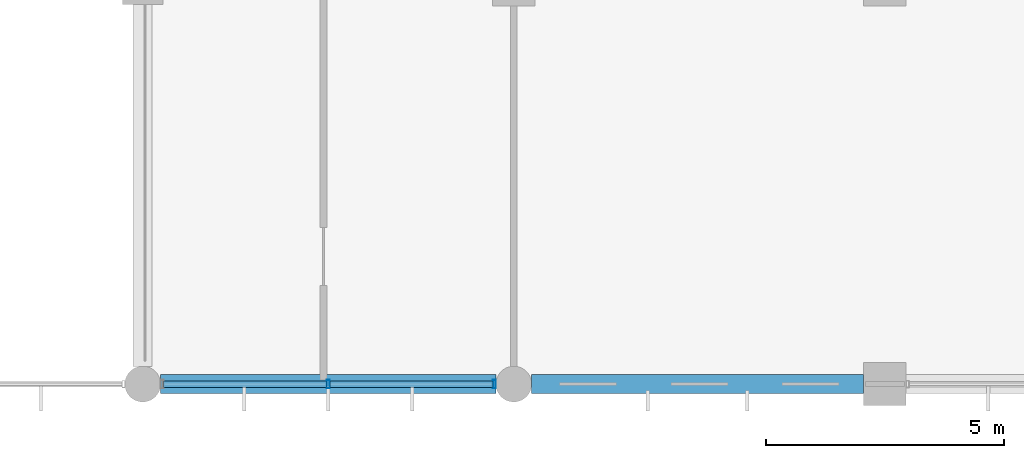
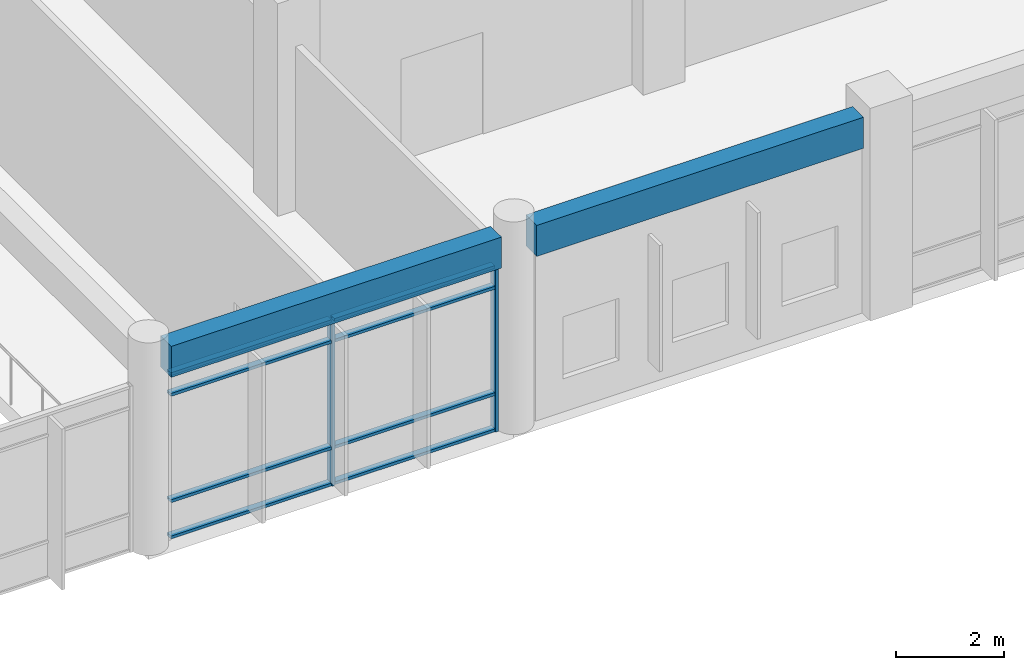
# One storey, part 18 of 79: 10 members, 2 beams, 1 element without a shape of its own.
"""IFC4 building model written with IfcOpenShell, lengths in metres."""

from ifc_helpers import new_model, si_unit, direction, frame, origin, origin_2d, place, context, subcontext, project, spatial, rectangle, hollow_rectangle, extrude, material, material_profile, profile_set, type_object, element, aggregate, save


model = new_model("IFC4")

# Units and contexts
model_context = context("Model", 3, precision=1e-05, world=origin(), true_north=direction((0.0, 1.0)))
body_context = subcontext(model_context, "Body", "Model", "MODEL_VIEW")
ifc_project = project(units=[si_unit("LENGTHUNIT", "METRE"), si_unit("AREAUNIT", "SQUARE_METRE"), si_unit("VOLUMEUNIT", "CUBIC_METRE"), si_unit("PLANEANGLEUNIT", "RADIAN"), si_unit("MASSUNIT", "GRAM", prefix="KILO"), si_unit("THERMODYNAMICTEMPERATUREUNIT", "KELVIN"), si_unit("POWERUNIT", "WATT")], contexts=[model_context])

# Site, building, storey
site_placement = place(None, origin())
site = spatial("IfcSite", under=ifc_project, at=site_placement, CompositionType="ELEMENT")
building_placement = place(site_placement, origin())
building = spatial("IfcBuilding", under=site, at=building_placement, Name="Srebrne Nadtorze General Hospital", CompositionType="ELEMENT")
storey_placement = place(building_placement, frame((0.0, 0.0, 4.800048828125)))
storey = spatial("IfcBuildingStorey", under=building, at=storey_placement, Name="L01", CompositionType="ELEMENT", Elevation=4.800048828125)

# Curtain wall, members
ifc_material_1 = material(Name="Anodised Aluminium", Category="aluminium")
curtain_wall_type = type_object("IfcCurtainWallType", Name="Unitised curtain wall 7050x3750", PredefinedType="NOTDEFINED", material=ifc_material_1)
curtain_wall_placement = place(storey_placement, origin())
curtain_wall = element("IfcCurtainWall", 1, at=curtain_wall_placement, inside=storey, type_object=curtain_wall_type, Name="Curtain wall CW-035", PredefinedType="NOTDEFINED")
ifc_material_2 = material(Name="Anodised Aluminium", Category="aluminium")
ifc_material_profile_1 = material_profile(ifc_material_2, hollow_rectangle(XDim=0.06494140625, YDim=0.179931640625, WallThickness=0.00390625, at=origin_2d()), Name="AL-MUL-65x180")
ifc_profile_set_1 = profile_set([ifc_material_profile_1], Name="Anodised Aluminium")
member_type_1 = type_object("IfcMemberType", Name="Curtain mullion 65x180", PredefinedType="MULLION", material=ifc_profile_set_1)
member_1_placement = place(storey_placement, frame((97.5, 0.0, 0.0), z_axis=(0.0, 0.0, 1.0), x_axis=(1.0, 0.0, 0.0)))
member_1 = element("IfcMember", 2, at=member_1_placement, type_object=member_type_1, Name="CW-035 mullion 2", PredefinedType="MULLION", context=body_context, shape_type="SweptSolid", body=[
    extrude(hollow_rectangle(XDim=0.06494140625, YDim=0.179931640625, WallThickness=0.00390625, at=origin_2d()), origin(), (0.0, 0.0, 1.0), 3.75),
])
member_2_placement = place(storey_placement, frame((100.992431640625, 0.0, 0.0), z_axis=(0.0, 0.0, 1.0), x_axis=(1.0, 0.0, 0.0)))
member_2 = element("IfcMember", 3, at=member_2_placement, type_object=member_type_1, Name="CW-035 mullion 3", PredefinedType="MULLION", context=body_context, shape_type="SweptSolid", body=[
    extrude(hollow_rectangle(XDim=0.06494140625, YDim=0.179931640625, WallThickness=0.00390625, at=origin_2d()), origin(), (0.0, 0.0, 1.0), 3.75),
])
ifc_material_3 = material(Name="Anodised Aluminium", Category="aluminium")
ifc_material_profile_2 = material_profile(ifc_material_3, hollow_rectangle(XDim=0.06494140625, YDim=0.139892578125, WallThickness=0.00390625, at=origin_2d()), Name="AL-TRN-65x140")
ifc_profile_set_2 = profile_set([ifc_material_profile_2], Name="Anodised Aluminium")
member_type_2 = type_object("IfcMemberType", Name="Curtain transom 65x140", PredefinedType="USERDEFINED", material=ifc_profile_set_2)
member_3_placement = place(storey_placement, frame((94.0400390625, 0.0, 0.032470703125), z_axis=(1.0, 0.0, 0.0), x_axis=(0.0, 0.0, 1.0)))
member_3 = element("IfcMember", 4, at=member_3_placement, type_object=member_type_2, Name="CW-035 transom 1.1", ObjectType="TRANSOM", PredefinedType="USERDEFINED", context=body_context, shape_type="SweptSolid", body=[
    extrude(hollow_rectangle(XDim=0.06494140625, YDim=0.139892578125, WallThickness=0.00390625, at=origin_2d()), origin(), (0.0, 0.0, 1.0), 3.427490234375),
])
member_4_placement = place(storey_placement, frame((94.0400390625, 0.0, 0.849853515625), z_axis=(1.0, 0.0, 0.0), x_axis=(0.0, 0.0, 1.0)))
member_4 = element("IfcMember", 5, at=member_4_placement, type_object=member_type_2, Name="CW-035 transom 1.2", ObjectType="TRANSOM", PredefinedType="USERDEFINED", context=body_context, shape_type="SweptSolid", body=[
    extrude(hollow_rectangle(XDim=0.06494140625, YDim=0.139892578125, WallThickness=0.00390625, at=origin_2d()), origin(), (0.0, 0.0, 1.0), 3.427490234375),
])
member_5_placement = place(storey_placement, frame((94.0400390625, 0.0, 3.25), z_axis=(1.0, 0.0, 0.0), x_axis=(0.0, 0.0, 1.0)))
member_5 = element("IfcMember", 6, at=member_5_placement, type_object=member_type_2, Name="CW-035 transom 1.3", ObjectType="TRANSOM", PredefinedType="USERDEFINED", context=body_context, shape_type="SweptSolid", body=[
    extrude(hollow_rectangle(XDim=0.06494140625, YDim=0.139892578125, WallThickness=0.00390625, at=origin_2d()), origin(), (0.0, 0.0, 1.0), 3.427490234375),
])
member_6_placement = place(storey_placement, frame((94.0400390625, 0.0, 3.717529296875), z_axis=(1.0, 0.0, 0.0), x_axis=(0.0, 0.0, 1.0)))
member_6 = element("IfcMember", 7, at=member_6_placement, type_object=member_type_2, Name="CW-035 transom 1.4", ObjectType="TRANSOM", PredefinedType="USERDEFINED", context=body_context, shape_type="SweptSolid", body=[
    extrude(hollow_rectangle(XDim=0.06494140625, YDim=0.139892578125, WallThickness=0.00390625, at=origin_2d()), origin(), (0.0, 0.0, 1.0), 3.427490234375),
])
member_7_placement = place(storey_placement, frame((97.532470703125, 0.0, 0.032470703125), z_axis=(1.0, 0.0, 0.0), x_axis=(0.0, 0.0, 1.0)))
member_7 = element("IfcMember", 8, at=member_7_placement, type_object=member_type_2, Name="CW-035 transom 2.1", ObjectType="TRANSOM", PredefinedType="USERDEFINED", context=body_context, shape_type="SweptSolid", body=[
    extrude(hollow_rectangle(XDim=0.06494140625, YDim=0.139892578125, WallThickness=0.00390625, at=origin_2d()), origin(), (0.0, 0.0, 1.0), 3.427490234375),
])
member_8_placement = place(storey_placement, frame((97.532470703125, 0.0, 0.849853515625), z_axis=(1.0, 0.0, 0.0), x_axis=(0.0, 0.0, 1.0)))
member_8 = element("IfcMember", 9, at=member_8_placement, type_object=member_type_2, Name="CW-035 transom 2.2", ObjectType="TRANSOM", PredefinedType="USERDEFINED", context=body_context, shape_type="SweptSolid", body=[
    extrude(hollow_rectangle(XDim=0.06494140625, YDim=0.139892578125, WallThickness=0.00390625, at=origin_2d()), origin(), (0.0, 0.0, 1.0), 3.427490234375),
])
member_9_placement = place(storey_placement, frame((97.532470703125, 0.0, 3.25), z_axis=(1.0, 0.0, 0.0), x_axis=(0.0, 0.0, 1.0)))
member_9 = element("IfcMember", 10, at=member_9_placement, type_object=member_type_2, Name="CW-035 transom 2.3", ObjectType="TRANSOM", PredefinedType="USERDEFINED", context=body_context, shape_type="SweptSolid", body=[
    extrude(hollow_rectangle(XDim=0.06494140625, YDim=0.139892578125, WallThickness=0.00390625, at=origin_2d()), origin(), (0.0, 0.0, 1.0), 3.427490234375),
])
member_10_placement = place(storey_placement, frame((97.532470703125, 0.0, 3.717529296875), z_axis=(1.0, 0.0, 0.0), x_axis=(0.0, 0.0, 1.0)))
member_10 = element("IfcMember", 11, at=member_10_placement, type_object=member_type_2, Name="CW-035 transom 2.4", ObjectType="TRANSOM", PredefinedType="USERDEFINED", context=body_context, shape_type="SweptSolid", body=[
    extrude(hollow_rectangle(XDim=0.06494140625, YDim=0.139892578125, WallThickness=0.00390625, at=origin_2d()), origin(), (0.0, 0.0, 1.0), 3.427490234375),
])
aggregate(curtain_wall, [member_1, member_2, member_3, member_4, member_5, member_6, member_7, member_8, member_9, member_10])

# Beams
ifc_material_4 = material(Name="Concrete C40/50", Category="concrete")
ifc_material_profile_3 = material_profile(ifc_material_4, rectangle(XDim=0.39990234375, YDim=0.699951171875, at=origin_2d()), Name="RC-BM-400x700")
ifc_profile_set_3 = profile_set([ifc_material_profile_3], Name="Concrete C40/50")
beam_type = type_object("IfcBeamType", Name="Edge beam RC 400x700", PredefinedType="BEAM", material=ifc_profile_set_3)
beam_1_placement = place(storey_placement, frame((93.97509765625, 0.0, 4.099853515625), z_axis=(1.0, 0.0, 0.0), x_axis=(0.0, 1.0, 0.0)))
element("IfcBeam", 12, at=beam_1_placement, inside=storey, type_object=beam_type, Name="Beam BM-L01-X-0371", PredefinedType="BEAM", context=body_context, shape_type="SweptSolid", body=[
    extrude(rectangle(XDim=0.39990234375, YDim=0.699951171875, at=origin_2d()), origin(), (0.0, 0.0, 1.0), 7.0498046875),
])
beam_2_placement = place(storey_placement, frame((101.77490234375, 0.0, 4.099853515625), z_axis=(1.0, 0.0, 0.0), x_axis=(0.0, 1.0, 0.0)))
element("IfcBeam", 13, at=beam_2_placement, inside=storey, type_object=beam_type, Name="Beam BM-L01-X-0372", PredefinedType="BEAM", context=body_context, shape_type="SweptSolid", body=[
    extrude(rectangle(XDim=0.39990234375, YDim=0.699951171875, at=origin_2d()), origin(), (0.0, 0.0, 1.0), 6.97509765625),
])

save(model, "model.ifc")
